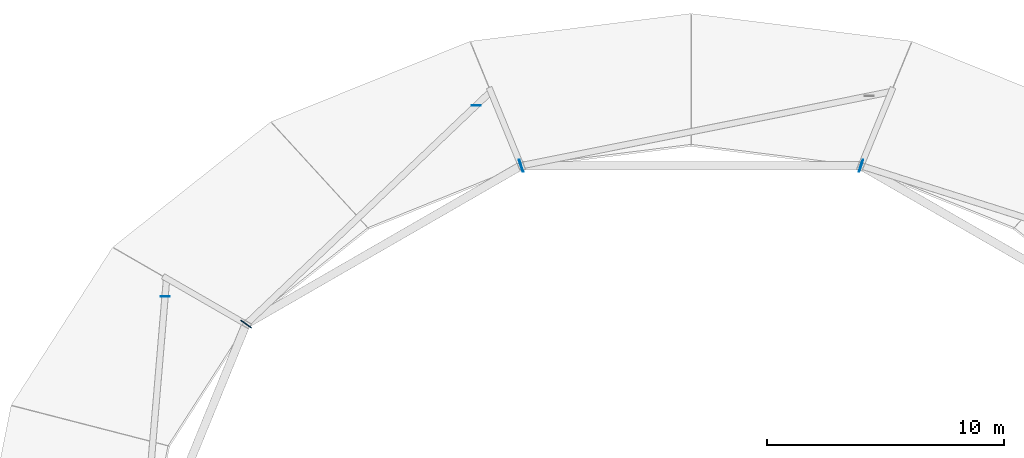
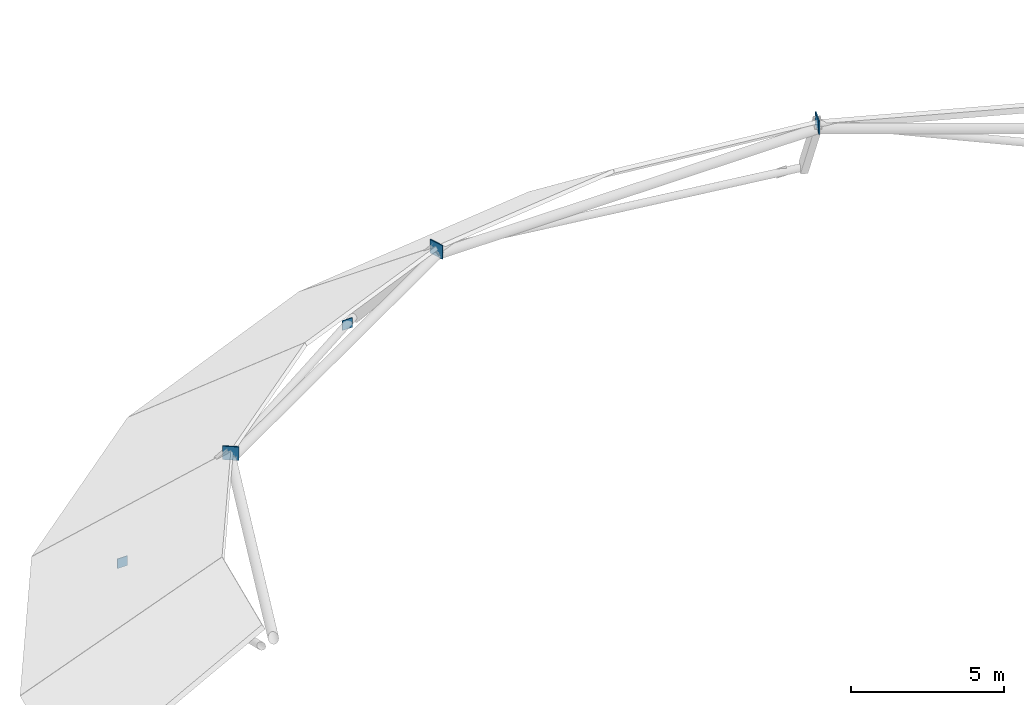
# One storey, part 32 of 59: 5 plates.
"""IFC4 building model written with IfcOpenShell, lengths in metres."""

from ifc_helpers import new_model, si_unit, direction, frame, origin, origin_2d, place, context, subcontext, project, spatial, rectangle, extrude, material, layer, layer_set, type_object, element, save


model = new_model("IFC4")

# Units and contexts
model_context = context("Model", 3, precision=1e-05, world=origin(), true_north=direction((0.0, 1.0)))
body_context = subcontext(model_context, "Body", "Model", "MODEL_VIEW")
ifc_project = project(units=[si_unit("LENGTHUNIT", "METRE"), si_unit("AREAUNIT", "SQUARE_METRE"), si_unit("VOLUMEUNIT", "CUBIC_METRE"), si_unit("PLANEANGLEUNIT", "RADIAN"), si_unit("MASSUNIT", "GRAM", prefix="KILO")], contexts=[model_context])

# Site, building, storey
site_placement = place(None, origin())
site = spatial("IfcSite", under=ifc_project, at=site_placement, CompositionType="ELEMENT")
building_placement = place(site_placement, origin())
building = spatial("IfcBuilding", under=site, at=building_placement, Name="Sollismere Congress Hotel", CompositionType="ELEMENT")
storey_placement = place(building_placement, frame((0.0, 0.0, 15.60009765625)))
storey = spatial("IfcBuildingStorey", under=building, at=storey_placement, Name="L03", CompositionType="ELEMENT", Elevation=15.60009765625)

# Plates
ifc_material = material(Name="Steel ASTM A572 Grade 50", Category="steel")
ifc_layer_1 = layer(ifc_material, 0.02490234375, Name="Steel ASTM A572 Grade 50")
ifc_layer_set_1 = layer_set([ifc_layer_1], Name="Steel ASTM A572 Grade 50")
plate_type_1 = type_object("IfcPlateType", Name="PL-GS25", PredefinedType="USERDEFINED", material=ifc_layer_set_1)
for number, where, z_axis, x_axis, name in (
    (1, (19.93017578125, 110.438720703125, 0.075927734375), (0.0, 0.0, 1.0), (1.0, 0.0, 0.0), "PLT-GDB0-04"),
    (2, (6.811279296875, 102.383544921875, 0.075927734375), (0.0, 0.0, 1.0), (1.0, 0.0, 0.0), "PLT-GDB0-05"),
):
    element("IfcPlate", number, at=place(storey_placement, frame(where, z_axis=z_axis, x_axis=x_axis)), inside=storey, type_object=plate_type_1, Name=name, ObjectType="GUSSET PLATE", PredefinedType="USERDEFINED", context=body_context, shape_type="SweptSolid", body=[
        extrude(rectangle(XDim=0.3798828125, YDim=0.02490234375, at=origin_2d()), origin(), (0.0, 0.0, 1.0), 0.3798828125),
    ])
ifc_layer_2 = layer(ifc_material, 0.0400390625, Name="Steel ASTM A572 Grade 50")
ifc_layer_set_2 = layer_set([ifc_layer_2], Name="Steel ASTM A572 Grade 50")
plate_type_2 = type_object("IfcPlateType", Name="PL-GS40", PredefinedType="USERDEFINED", material=ifc_layer_set_2)
for number, where, z_axis, x_axis, name in (
    (3, (36.169189453125, 107.8994140625, 3.849853515625), (0.0, 0.0, 1.0), (0.309016994375, 0.951056516295, 0.0), "Dome ring gusset plate 1-03"),
    (4, (21.830810546875, 107.8994140625, 3.849853515625), (0.0, 0.0, 1.0), (-0.309016994375, 0.951056516295, 0.0), "Dome ring gusset plate 1-04"),
    (5, (10.230712890625, 101.21533203125, 3.849853515625), (0.0, 0.0, 1.0), (-0.809016994375, 0.587785252292, 0.0), "Dome ring gusset plate 1-05"),
):
    element("IfcPlate", number, at=place(storey_placement, frame(where, z_axis=z_axis, x_axis=x_axis)), inside=storey, type_object=plate_type_2, Name=name, ObjectType="GUSSET PLATE", PredefinedType="USERDEFINED", context=body_context, shape_type="SweptSolid", body=[
        extrude(rectangle(XDim=0.5400390625, YDim=0.0400390625, at=origin_2d()), origin(), (0.0, 0.0, 1.0), 0.5400390625),
    ])

save(model, "model.ifc")
